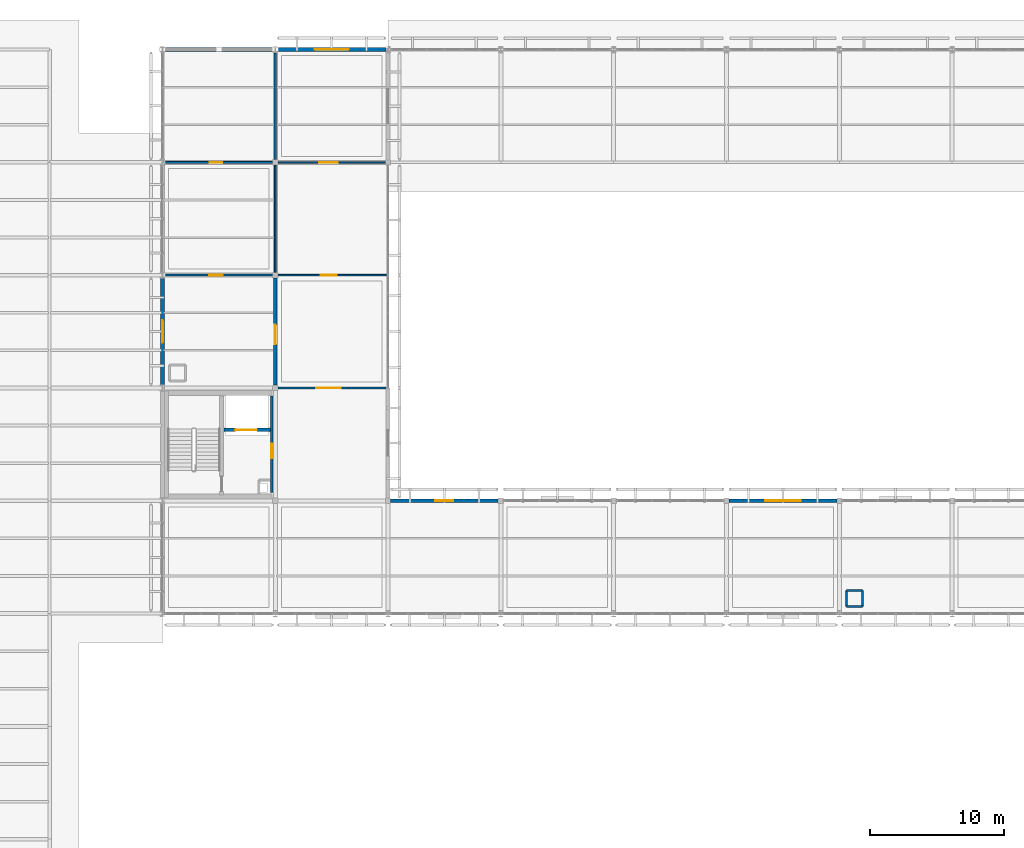
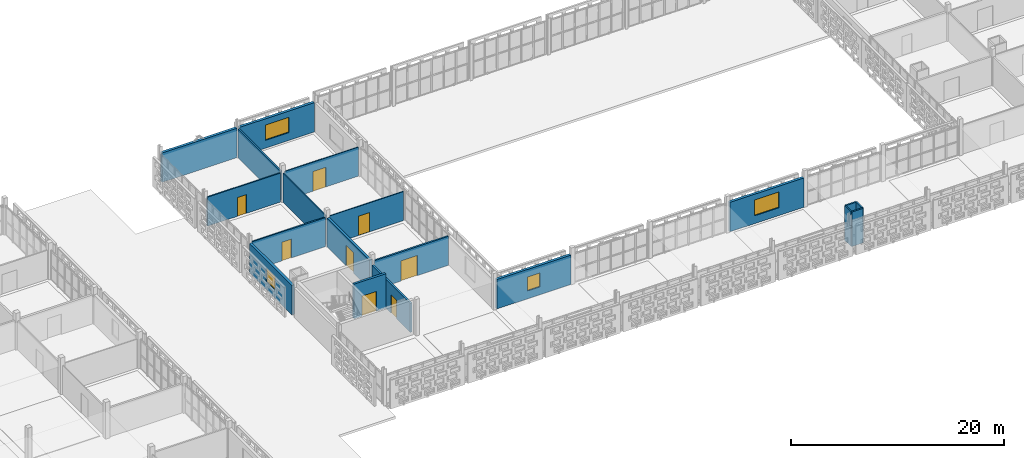
# One storey, part 101 of 166: 19 walls, 8 doors, 4 windows, 12 openings.
"""IFC4 building model written with IfcOpenShell, lengths in metres."""

from ifc_helpers import new_model, si_unit, direction, frame, frame_2d, origin, place, context, subcontext, project, spatial, rectangle, extrude, material, layer, layer_set, type_object, element, fill, save


model = new_model("IFC4")

# Units and contexts
model_context = context("Model", 3, precision=1e-05, world=origin(), true_north=direction((0.0, 1.0)))
body_context = subcontext(model_context, "Body", "Model", "MODEL_VIEW")
ifc_project = project(units=[si_unit("LENGTHUNIT", "METRE"), si_unit("AREAUNIT", "SQUARE_METRE"), si_unit("VOLUMEUNIT", "CUBIC_METRE"), si_unit("PLANEANGLEUNIT", "RADIAN"), si_unit("MASSUNIT", "GRAM", prefix="KILO")], contexts=[model_context])

# Site, building, storey
site_placement = place(None, origin())
site = spatial("IfcSite", under=ifc_project, at=site_placement, CompositionType="ELEMENT")
building_placement = place(site_placement, origin())
building = spatial("IfcBuilding", under=site, at=building_placement, Name="Varnapada Polytechnic", CompositionType="ELEMENT")
storey_placement = place(building_placement, frame((0.0, 0.0, 9.60009765625)))
storey = spatial("IfcBuildingStorey", under=building, at=storey_placement, Name="L02", CompositionType="ELEMENT", Elevation=9.60009765625)

# Wall, opening, door
ifc_material_1 = material(Name="Autoclaved Aerated Concrete Block AAC-600", Category="concrete")
ifc_layer_1 = layer(ifc_material_1, 0.199951171875)
ifc_layer_set_1 = layer_set([ifc_layer_1], Name="Autoclaved Aerated Concrete Block AAC-600")
wall_type_1 = type_object("IfcWallType", Name="Interior Wall IW-01", PredefinedType="PARTITIONING", material=ifc_layer_set_1)
wall_1_placement = place(storey_placement, frame((58.5400390625, 100.199951171875, 0.0), z_axis=(0.0, 0.0, 1.0), x_axis=(0.0, -1.0, 0.0)))
wall_1 = element("IfcWall", 1, at=wall_1_placement, inside=storey, type_object=wall_type_1, Name="L02 C4 firefighting lobby east wall", PredefinedType="PARTITIONING", context=body_context, shape_type="SweptSolid", body=[
    extrude(rectangle(XDim=7.199951171875, YDim=0.199951171875, at=frame_2d((3.60009765625, 0.0))), origin(), (0.0, 0.0, 1.0), 3.31982421875),
])
opening_1_placement = place(wall_1_placement, frame((3.550048828125, 0.0, 0.0)))
opening_1 = element("IfcOpeningElement", 2, at=opening_1_placement, cuts=wall_1, Name="Opening D-1090", PredefinedType="OPENING", context=body_context, shape_type="SweptSolid", body=[
    extrude(rectangle(XDim=1.10009765625, YDim=2.14990234375, at=frame_2d((0.550048828125, 1.074951171875))), frame((0.0, 0.10986328125, 0.0), z_axis=(0.0, -1.0, 0.0), x_axis=(1.0, 0.0, 0.0)), (0.0, 0.0, 1.0), 0.219970703125),
])
ifc_material_2 = material(Name="Galvanized Steel Z275", Category="steel")
door_type_1 = type_object("IfcDoorType", Name="Interior Door ID-01", OperationType="NOTDEFINED", PredefinedType="DOOR", material=ifc_material_2)
door_1_placement = place(opening_1_placement, frame((1.10009765625, 0.0, 0.0), z_axis=(0.0, 0.0, 1.0), x_axis=(-1.0, 0.0, 0.0)))
door_1 = element("IfcDoor", 3, at=door_1_placement, inside=storey, type_object=door_type_1, Name="L02 C4 lobby fire door D-1090", OperationType="SINGLE_SWING_RIGHT", OverallHeight=2.14990234375, OverallWidth=1.10009765625, PredefinedType="DOOR", context=body_context, shape_type="SweptSolid", body=[
    extrude(rectangle(XDim=1.10009765625, YDim=2.14990234375, at=frame_2d((0.550048828125, 1.074951171875))), frame((0.0, 0.02490234375, 0.0), z_axis=(0.0, -1.0, 0.0), x_axis=(1.0, 0.0, 0.0)), (0.0, 0.0, 1.0), 0.050048828125),
])
fill(opening_1, door_1)

# Walls
ifc_layer_2 = layer(ifc_material_1, 0.14990234375)
ifc_layer_set_2 = layer_set([ifc_layer_2], Name="Autoclaved Aerated Concrete Block AAC-600")
wall_type_2 = type_object("IfcWallType", Name="Interior Wall IW-02", PredefinedType="PARTITIONING", material=ifc_layer_set_2)
for number, where, z_axis, x_axis, name in (
    (4, (101.320068359375, 84.52001953125, 0.0), (0.0, 0.0, 1.0), (1.0, 0.0, 0.0), "L02 enclosed service riser wall (13,11) S"),
    (5, (102.52001953125, 84.52001953125, 0.0), (0.0, 0.0, 1.0), (0.0, 1.0, 0.0), "L02 enclosed service riser wall (13,11) E"),
    (6, (102.52001953125, 85.719970703125, 0.0), (0.0, 0.0, 1.0), (-1.0, 0.0, 0.0), "L02 enclosed service riser wall (13,11) N"),
    (7, (101.320068359375, 85.719970703125, 0.0), (0.0, 0.0, 1.0), (0.0, -1.0, 0.0), "L02 enclosed service riser wall (13,11) W"),
):
    element("IfcWall", number, at=place(storey_placement, frame(where, z_axis=z_axis, x_axis=x_axis)), inside=storey, type_object=wall_type_2, Name=name, PredefinedType="PARTITIONING", context=body_context, shape_type="SweptSolid", body=[
        extrude(rectangle(XDim=1.199951171875, YDim=0.14990234375, at=frame_2d((0.60009765625, 0.0))), origin(), (0.0, 0.0, 1.0), 3.9599609375),
    ])

# Wall, opening, door
wall_2_placement = place(storey_placement, frame((50.64501953125, 109.199951171875, 0.0), z_axis=(0.0, 0.0, 1.0), x_axis=(1.0, 0.0, 0.0)))
wall_2 = element("IfcWall", 8, at=wall_2_placement, inside=storey, type_object=wall_type_2, Name="L02 interior partition IW-L02-06-12-H", PredefinedType="PARTITIONING", context=body_context, shape_type="SweptSolid", body=[
    extrude(rectangle(XDim=7.93505859375, YDim=0.14990234375, at=frame_2d((3.967529296875, 0.0))), origin(), (0.0, 0.0, 1.0), 3.31982421875),
])
opening_2_placement = place(wall_2_placement, frame((3.25, 0.0, 0.0)))
opening_2 = element("IfcOpeningElement", 9, at=opening_2_placement, cuts=wall_2, Name="Opening D-1139", PredefinedType="OPENING", context=body_context, shape_type="SweptSolid", body=[
    extrude(rectangle(XDim=1.0, YDim=2.14990234375, at=frame_2d((0.5, 1.074951171875))), frame((0.0, 0.0849609375, 0.0), z_axis=(0.0, -1.0, 0.0), x_axis=(1.0, 0.0, 0.0)), (0.0, 0.0, 1.0), 0.169921875),
])
ifc_material_3 = material(Name="Solid Teak Hardwood Timber", Category="wood")
door_type_2 = type_object("IfcDoorType", Name="Interior Door ID-02", OperationType="NOTDEFINED", PredefinedType="DOOR", material=ifc_material_3)
door_2_placement = place(opening_2_placement, frame((1.0, 0.0, 0.0), z_axis=(0.0, 0.0, 1.0), x_axis=(-1.0, 0.0, 0.0)))
door_2 = element("IfcDoor", 10, at=door_2_placement, inside=storey, type_object=door_type_2, Name="L02 interior room door D-1139", OperationType="SINGLE_SWING_RIGHT", OverallHeight=2.14990234375, OverallWidth=1.0, PredefinedType="DOOR", context=body_context, shape_type="SweptSolid", body=[
    extrude(rectangle(XDim=1.0, YDim=2.14990234375, at=frame_2d((0.5, 1.074951171875))), frame((0.0, 0.02490234375, 0.0), z_axis=(0.0, -1.0, 0.0), x_axis=(1.0, 0.0, 0.0)), (0.0, 0.0, 1.0), 0.050048828125),
])
fill(opening_2, door_2)

# Wall
ifc_material_4 = material(Name="Gypsum Plasterboard Acoustic Partition")
ifc_layer_3 = layer(ifc_material_4, 0.125)
ifc_layer_set_3 = layer_set([ifc_layer_3], Name="Gypsum Plasterboard Acoustic Partition")
wall_type_3 = type_object("IfcWallType", Name="Interior Wall IW-03", PredefinedType="PARTITIONING", material=ifc_layer_set_3)
wall_3_placement = place(storey_placement, frame((58.800048828125, 109.419921875, 0.0), z_axis=(0.0, 0.0, 1.0), x_axis=(0.0, 1.0, 0.0)))
element("IfcWall", 11, at=wall_3_placement, inside=storey, type_object=wall_type_3, Name="L02 interior partition IW-L02-06-13-V", PredefinedType="PARTITIONING", context=body_context, shape_type="SweptSolid", body=[
    extrude(rectangle(XDim=7.9599609375, YDim=0.125, at=frame_2d((3.97998046875, 0.0))), origin(), (0.0, 0.0, 1.0), 3.31982421875),
])

# Wall, opening, door
ifc_material_5 = material(Name="Moisture-Resistant Cement Board Partition")
ifc_layer_4 = layer(ifc_material_5, 0.139892578125)
ifc_layer_set_4 = layer_set([ifc_layer_4], Name="Moisture-Resistant Cement Board Partition")
wall_type_4 = type_object("IfcWallType", Name="Interior Wall IW-04", PredefinedType="PARTITIONING", material=ifc_layer_set_4)
wall_4_placement = place(storey_placement, frame((50.64501953125, 117.60009765625, 0.0), z_axis=(0.0, 0.0, 1.0), x_axis=(1.0, 0.0, 0.0)))
wall_4 = element("IfcWall", 12, at=wall_4_placement, inside=storey, type_object=wall_type_4, Name="L02 interior partition IW-L02-06-13-H", PredefinedType="PARTITIONING", context=body_context, shape_type="SweptSolid", body=[
    extrude(rectangle(XDim=7.93505859375, YDim=0.139892578125, at=frame_2d((3.967529296875, 0.0))), origin(), (0.0, 0.0, 1.0), 3.31982421875),
])
opening_3_placement = place(wall_4_placement, frame((3.27490234375, 0.0, 0.0)))
opening_3 = element("IfcOpeningElement", 13, at=opening_3_placement, cuts=wall_4, Name="Opening D-1140", PredefinedType="OPENING", context=body_context, shape_type="SweptSolid", body=[
    extrude(rectangle(XDim=0.949951171875, YDim=2.14990234375, at=frame_2d((0.47509765625, 1.074951171875))), frame((0.0, 0.079833984375, 0.0), z_axis=(0.0, -1.0, 0.0), x_axis=(1.0, 0.0, 0.0)), (0.0, 0.0, 1.0), 0.159912109375),
])
ifc_material_6 = material(Name="Moisture-Resistant HPL Timber", Category="wood")
door_type_3 = type_object("IfcDoorType", Name="Interior Door ID-03", OperationType="NOTDEFINED", PredefinedType="DOOR", material=ifc_material_6)
door_3_placement = place(opening_3_placement, origin())
door_3 = element("IfcDoor", 14, at=door_3_placement, inside=storey, type_object=door_type_3, Name="L02 interior room door D-1140", OperationType="SINGLE_SWING_LEFT", OverallHeight=2.14990234375, OverallWidth=0.949951171875, PredefinedType="DOOR", context=body_context, shape_type="SweptSolid", body=[
    extrude(rectangle(XDim=0.949951171875, YDim=2.14990234375, at=frame_2d((0.47509765625, 1.074951171875))), frame((0.0, 0.02490234375, 0.0), z_axis=(0.0, -1.0, 0.0), x_axis=(1.0, 0.0, 0.0)), (0.0, 0.0, 1.0), 0.050048828125),
])
fill(opening_3, door_3)

# Wall
ifc_material_7 = material(Name="Cross-laminated timber CLT C24", Category="wood")
ifc_layer_5 = layer(ifc_material_7, 0.159912109375)
ifc_layer_set_5 = layer_set([ifc_layer_5], Name="Cross-laminated timber CLT C24")
wall_type_5 = type_object("IfcWallType", Name="Interior Wall IW-05", PredefinedType="PARTITIONING", material=ifc_layer_set_5)
wall_5_placement = place(storey_placement, frame((58.800048828125, 117.820068359375, 0.0), z_axis=(0.0, 0.0, 1.0), x_axis=(0.0, 1.0, 0.0)))
element("IfcWall", 15, at=wall_5_placement, inside=storey, type_object=wall_type_5, Name="L02 interior partition IW-L02-06-14-V", PredefinedType="PARTITIONING", context=body_context, shape_type="SweptSolid", body=[
    extrude(rectangle(XDim=7.934814453125, YDim=0.159912109375, at=frame_2d((3.96728515625, 0.0))), origin(), (0.0, 0.0, 1.0), 3.31982421875),
])

# Wall, opening, door
ifc_material_8 = material(Name="Acoustic Double-Stud Studio Partition")
ifc_layer_6 = layer(ifc_material_8, 0.179931640625)
ifc_layer_set_6 = layer_set([ifc_layer_6], Name="Acoustic Double-Stud Studio Partition")
wall_type_6 = type_object("IfcWallType", Name="Interior Wall IW-06", PredefinedType="PARTITIONING", material=ifc_layer_set_6)
wall_6_placement = place(storey_placement, frame((59.02001953125, 100.800048828125, 0.0), z_axis=(0.0, 0.0, 1.0), x_axis=(1.0, 0.0, 0.0)))
wall_6 = element("IfcWall", 16, at=wall_6_placement, inside=storey, type_object=wall_type_6, Name="L02 interior partition IW-L02-07-11-H", PredefinedType="PARTITIONING", context=body_context, shape_type="SweptSolid", body=[
    extrude(rectangle(XDim=8.034912109375, YDim=0.179931640625, at=frame_2d((4.017578125, 0.0))), origin(), (0.0, 0.0, 1.0), 3.31982421875),
])
opening_4_placement = place(wall_6_placement, frame((2.85009765625, 0.0, 0.0)))
opening_4 = element("IfcOpeningElement", 17, at=opening_4_placement, cuts=wall_6, Name="Opening D-1141", PredefinedType="OPENING", context=body_context, shape_type="SweptSolid", body=[
    extrude(rectangle(XDim=1.800048828125, YDim=2.300048828125, at=frame_2d((0.89990234375, 1.14990234375))), frame((0.0, 0.099853515625, 0.0), z_axis=(0.0, -1.0, 0.0), x_axis=(1.0, 0.0, 0.0)), (0.0, 0.0, 1.0), 0.199951171875),
])
ifc_material_9 = material(Name="Acoustic Double Timber Leaf", Category="wood")
door_type_4 = type_object("IfcDoorType", Name="Interior Door ID-04", OperationType="NOTDEFINED", PredefinedType="DOOR", material=ifc_material_9)
door_4_placement = place(opening_4_placement, origin())
door_4 = element("IfcDoor", 18, at=door_4_placement, inside=storey, type_object=door_type_4, Name="L02 interior room door D-1141", OperationType="SINGLE_SWING_RIGHT", OverallHeight=2.300048828125, OverallWidth=1.800048828125, PredefinedType="DOOR", context=body_context, shape_type="SweptSolid", body=[
    extrude(rectangle(XDim=1.800048828125, YDim=2.300048828125, at=frame_2d((0.89990234375, 1.14990234375))), frame((0.0, 0.02490234375, 0.0), z_axis=(0.0, -1.0, 0.0), x_axis=(1.0, 0.0, 0.0)), (0.0, 0.0, 1.0), 0.050048828125),
])
fill(opening_4, door_4)

ifc_material_10 = material(Name="Glazed Timber-Framed Studio Screen", Category="wood")
ifc_layer_7 = layer(ifc_material_10, 0.110107421875)
ifc_layer_set_7 = layer_set([ifc_layer_7], Name="Glazed Timber-Framed Studio Screen")
wall_type_7 = type_object("IfcWallType", Name="Interior Wall IW-07", PredefinedType="PARTITIONING", material=ifc_layer_set_7)
wall_7_placement = place(storey_placement, frame((59.02001953125, 109.199951171875, 0.0), z_axis=(0.0, 0.0, 1.0), x_axis=(1.0, 0.0, 0.0)))
wall_7 = element("IfcWall", 19, at=wall_7_placement, inside=storey, type_object=wall_type_7, Name="L02 interior partition IW-L02-07-12-H", PredefinedType="PARTITIONING", context=body_context, shape_type="SweptSolid", body=[
    extrude(rectangle(XDim=8.034912109375, YDim=0.110107421875, at=frame_2d((4.017578125, 0.0))), origin(), (0.0, 0.0, 1.0), 3.31982421875),
])
opening_5_placement = place(wall_7_placement, frame((3.14990234375, 0.0, 0.0)))
opening_5 = element("IfcOpeningElement", 20, at=opening_5_placement, cuts=wall_7, Name="Opening D-1142", PredefinedType="OPENING", context=body_context, shape_type="SweptSolid", body=[
    extrude(rectangle(XDim=1.199951171875, YDim=2.199951171875, at=frame_2d((0.60009765625, 1.10009765625))), frame((0.0, 0.06494140625, 0.0), z_axis=(0.0, -1.0, 0.0), x_axis=(1.0, 0.0, 0.0)), (0.0, 0.0, 1.0), 0.130126953125),
])
door_type_5 = type_object("IfcDoorType", Name="Interior Door ID-05", OperationType="NOTDEFINED", PredefinedType="DOOR", material=ifc_material_3)
door_5_placement = place(opening_5_placement, frame((1.199951171875, 0.0, 0.0), z_axis=(0.0, 0.0, 1.0), x_axis=(-1.0, 0.0, 0.0)))
door_5 = element("IfcDoor", 21, at=door_5_placement, inside=storey, type_object=door_type_5, Name="L02 interior room door D-1142", OperationType="SINGLE_SWING_LEFT", OverallHeight=2.199951171875, OverallWidth=1.199951171875, PredefinedType="DOOR", context=body_context, shape_type="SweptSolid", body=[
    extrude(rectangle(XDim=1.199951171875, YDim=2.199951171875, at=frame_2d((0.60009765625, 1.10009765625))), frame((0.0, 0.02490234375, 0.0), z_axis=(0.0, -1.0, 0.0), x_axis=(1.0, 0.0, 0.0)), (0.0, 0.0, 1.0), 0.050048828125),
])
fill(opening_5, door_5)

ifc_material_11 = material(Name="Operable Acoustic Seminar Partition")
ifc_layer_8 = layer(ifc_material_11, 0.10009765625)
ifc_layer_set_8 = layer_set([ifc_layer_8], Name="Operable Acoustic Seminar Partition")
wall_type_8 = type_object("IfcWallType", Name="Interior Wall IW-08", PredefinedType="MOVABLE", material=ifc_layer_set_8)
wall_8_placement = place(storey_placement, frame((59.02001953125, 117.60009765625, 0.0), z_axis=(0.0, 0.0, 1.0), x_axis=(1.0, 0.0, 0.0)))
wall_8 = element("IfcWall", 22, at=wall_8_placement, inside=storey, type_object=wall_type_8, Name="L02 interior partition IW-L02-07-13-H", PredefinedType="MOVABLE", context=body_context, shape_type="SweptSolid", body=[
    extrude(rectangle(XDim=7.969970703125, YDim=0.10009765625, at=frame_2d((3.98486328125, 0.0))), origin(), (0.0, 0.0, 1.0), 3.31982421875),
])
opening_6_placement = place(wall_8_placement, frame((3.050048828125, 0.0, 0.0)))
opening_6 = element("IfcOpeningElement", 23, at=opening_6_placement, cuts=wall_8, Name="Opening D-1143", PredefinedType="OPENING", context=body_context, shape_type="SweptSolid", body=[
    extrude(rectangle(XDim=1.39990234375, YDim=2.25, at=frame_2d((0.699951171875, 1.125))), frame((0.0, 0.06005859375, 0.0), z_axis=(0.0, -1.0, 0.0), x_axis=(1.0, 0.0, 0.0)), (0.0, 0.0, 1.0), 0.1201171875),
])
ifc_material_12 = material(Name="Powder-Coated Aluminium 6063-T6", Category="aluminium")
door_type_6 = type_object("IfcDoorType", Name="Interior Door ID-06", OperationType="NOTDEFINED", PredefinedType="DOOR", material=ifc_material_12)
door_6_placement = place(opening_6_placement, origin())
door_6 = element("IfcDoor", 24, at=door_6_placement, inside=storey, type_object=door_type_6, Name="L02 interior room door D-1143", OperationType="SINGLE_SWING_RIGHT", OverallHeight=2.25, OverallWidth=1.39990234375, PredefinedType="DOOR", context=body_context, shape_type="SweptSolid", body=[
    extrude(rectangle(XDim=1.39990234375, YDim=2.25, at=frame_2d((0.699951171875, 1.125))), frame((0.0, 0.02490234375, 0.0), z_axis=(0.0, -1.0, 0.0), x_axis=(1.0, 0.0, 0.0)), (0.0, 0.0, 1.0), 0.050048828125),
])
fill(opening_6, door_6)

ifc_material_13 = material(Name="Double-Leaf Acoustic Lecture Wall")
ifc_layer_9 = layer(ifc_material_13, 0.235107421875)
ifc_layer_set_9 = layer_set([ifc_layer_9], Name="Double-Leaf Acoustic Lecture Wall")
wall_type_9 = type_object("IfcWallType", Name="Interior Wall IW-17", PredefinedType="PARTITIONING", material=ifc_layer_set_9)
wall_9_placement = place(storey_placement, frame((58.800048828125, 101.02001953125, 0.0), z_axis=(0.0, 0.0, 1.0), x_axis=(0.0, 1.0, 0.0)))
wall_9 = element("IfcWall", 25, at=wall_9_placement, inside=storey, type_object=wall_type_9, Name="L02 interior partition IW-L02-06-12-V", PredefinedType="PARTITIONING", context=body_context, shape_type="SweptSolid", body=[
    extrude(rectangle(XDim=7.9599609375, YDim=0.235107421875, at=frame_2d((3.97998046875, 0.0))), origin(), (0.0, 0.0, 1.0), 3.31982421875),
])
opening_7_placement = place(wall_9_placement, frame((3.02490234375, 0.0, 0.0)))
opening_7 = element("IfcOpeningElement", 26, at=opening_7_placement, cuts=wall_9, Name="Opening D-1138", PredefinedType="OPENING", context=body_context, shape_type="SweptSolid", body=[
    extrude(rectangle(XDim=1.449951171875, YDim=2.35009765625, at=frame_2d((0.72509765625, 1.175048828125))), frame((0.0, 0.12744140625, 0.0), z_axis=(0.0, -1.0, 0.0), x_axis=(1.0, 0.0, 0.0)), (0.0, 0.0, 1.0), 0.255126953125),
])
door_type_7 = type_object("IfcDoorType", Name="Interior Door ID-18", OperationType="NOTDEFINED", PredefinedType="DOOR", material=ifc_material_2)
door_7_placement = place(opening_7_placement, origin())
door_7 = element("IfcDoor", 27, at=door_7_placement, inside=storey, type_object=door_type_7, Name="L02 interior room door D-1138", OperationType="SINGLE_SWING_LEFT", OverallHeight=2.35009765625, OverallWidth=1.449951171875, PredefinedType="DOOR", context=body_context, shape_type="SweptSolid", body=[
    extrude(rectangle(XDim=1.449951171875, YDim=2.35009765625, at=frame_2d((0.72509765625, 1.175048828125))), frame((0.0, 0.02490234375, 0.0), z_axis=(0.0, -1.0, 0.0), x_axis=(1.0, 0.0, 0.0)), (0.0, 0.0, 1.0), 0.050048828125),
])
fill(opening_7, door_7)

ifc_material_14 = material(Name="Concrete C40/50", Category="concrete")
ifc_layer_10 = layer(ifc_material_14, 0.25)
ifc_layer_set_10 = layer_set([ifc_layer_10], Name="Concrete C40/50")
wall_type_10 = type_object("IfcWallType", Name="Interior Wall SW-05", PredefinedType="SHEAR", material=ifc_layer_set_10)
wall_10_placement = place(storey_placement, frame((54.97998046875, 97.679931640625, 0.0), z_axis=(0.0, 0.0, 1.0), x_axis=(1.0, 0.0, 0.0)))
wall_10 = element("IfcWall", 28, at=wall_10_placement, inside=storey, type_object=wall_type_10, Name="L02 C4 lift shaft front wall", PredefinedType="SHEAR", context=body_context, shape_type="SweptSolid", body=[
    extrude(rectangle(XDim=3.4599609375, YDim=0.25, at=frame_2d((1.72998046875, 0.0))), origin(), (0.0, 0.0, 1.0), 3.9599609375),
])
opening_8_placement = place(wall_10_placement, frame((0.85009765625, 0.0, 0.0)))
opening_8 = element("IfcOpeningElement", 29, at=opening_8_placement, cuts=wall_10, Name="Opening LD-022", PredefinedType="OPENING", context=body_context, shape_type="SweptSolid", body=[
    extrude(rectangle(XDim=1.60009765625, YDim=2.300048828125, at=frame_2d((0.800048828125, 1.14990234375))), frame((0.0, 0.135009765625, 0.0), z_axis=(0.0, -1.0, 0.0), x_axis=(1.0, 0.0, 0.0)), (0.0, 0.0, 1.0), 0.27001953125),
])
ifc_material_15 = material(Name="Brushed Stainless Steel 316", Category="steel")
door_type_8 = type_object("IfcDoorType", Name="Interior Door LD-02", OperationType="NOTDEFINED", PredefinedType="DOOR", material=ifc_material_15)
door_8_placement = place(opening_8_placement, origin())
door_8 = element("IfcDoor", 30, at=door_8_placement, inside=storey, type_object=door_type_8, Name="L02 LFT-04 sliding lift landing door LD-022", OperationType="DOUBLE_DOOR_SLIDING", OverallHeight=2.300048828125, OverallWidth=1.60009765625, PredefinedType="DOOR", context=body_context, shape_type="SweptSolid", body=[
    extrude(rectangle(XDim=1.60009765625, YDim=2.300048828125, at=frame_2d((0.800048828125, 1.14990234375))), frame((0.0, 0.02490234375, 0.0), z_axis=(0.0, -1.0, 0.0), x_axis=(1.0, 0.0, 0.0)), (0.0, 0.0, 1.0), 0.050048828125),
])
fill(opening_8, door_8)

# Wall, opening, window
ifc_material_16 = material(Name="Precast concrete C40/50", Category="concrete")
ifc_layer_11 = layer(ifc_material_16, 0.280029296875)
ifc_layer_set_11 = layer_set([ifc_layer_11], Name="Precast concrete C40/50")
wall_type_11 = type_object("IfcWallType", Name="Wall EW-02", PredefinedType="SOLIDWALL", material=ifc_layer_set_11)
wall_11_placement = place(storey_placement, frame((50.39990234375, 101.02490234375, 0.0), z_axis=(0.0, 0.0, 1.0), x_axis=(0.0, 1.0, 0.0)))
wall_11 = element("IfcWall", 31, at=wall_11_placement, inside=storey, type_object=wall_type_11, Name="L02 exterior wall EW-02 (48)", PredefinedType="SOLIDWALL", context=body_context, shape_type="SweptSolid", body=[
    extrude(rectangle(XDim=7.9501953125, YDim=0.280029296875, at=frame_2d((3.97509765625, 0.0))), origin(), (0.0, 0.0, 1.0), 3.35986328125),
])
opening_9_placement = place(wall_11_placement, frame((3.125, 0.0, 0.89990234375)))
opening_9 = element("IfcOpeningElement", 32, at=opening_9_placement, cuts=wall_11, Name="Opening WN-16", PredefinedType="OPENING", context=body_context, shape_type="SweptSolid", body=[
    extrude(rectangle(XDim=1.699951171875, YDim=1.550048828125, at=frame_2d((0.85009765625, 0.77490234375))), frame((0.0, 0.14990234375, 0.0), z_axis=(0.0, -1.0, 0.0), x_axis=(1.0, 0.0, 0.0)), (0.0, 0.0, 1.0), 0.300048828125),
])
ifc_material_17 = material(Name="Double low-E laminated glass", Category="glass")
window_type_1 = type_object("IfcWindowType", Name="Window WN-16", PartitioningType="SINGLE_PANEL", PredefinedType="WINDOW", material=ifc_material_17)
window_1_placement = place(opening_9_placement, origin())
window_1 = element("IfcWindow", 33, at=window_1_placement, inside=storey, type_object=window_type_1, Name="L02 window WN-16 (115)", OverallHeight=1.550048828125, OverallWidth=1.699951171875, PartitioningType="SINGLE_PANEL", PredefinedType="WINDOW", context=body_context, shape_type="SweptSolid", body=[
    extrude(rectangle(XDim=1.699951171875, YDim=1.550048828125, at=frame_2d((0.85009765625, 0.77490234375))), frame((0.0, 0.030029296875, 0.0), z_axis=(0.0, -1.0, 0.0), x_axis=(1.0, 0.0, 0.0)), (0.0, 0.0, 1.0), 0.06005859375),
])
fill(opening_9, window_1)

# Wall
wall_12_placement = place(storey_placement, frame((50.550048828125, 126.0, 0.0), z_axis=(0.0, 0.0, 1.0), x_axis=(1.0, 0.0, 0.0)))
element("IfcWall", 34, at=wall_12_placement, inside=storey, type_object=wall_type_11, Name="L02 exterior wall EW-02 (50)", PredefinedType="SOLIDWALL", context=body_context, shape_type="SweptSolid", body=[
    extrude(rectangle(XDim=8.099853515625, YDim=0.280029296875, at=frame_2d((4.0498046875, 0.0))), origin(), (0.0, 0.0, 1.0), 3.35986328125),
])

# Wall, opening, window
wall_13_placement = place(storey_placement, frame((58.949951171875, 126.0, 0.0), z_axis=(0.0, 0.0, 1.0), x_axis=(1.0, 0.0, 0.0)))
wall_13 = element("IfcWall", 35, at=wall_13_placement, inside=storey, type_object=wall_type_11, Name="L02 exterior wall EW-02 (56)", PredefinedType="SOLIDWALL", context=body_context, shape_type="SweptSolid", body=[
    extrude(rectangle(XDim=8.10009765625, YDim=0.280029296875, at=frame_2d((4.050048828125, 0.0))), origin(), (0.0, 0.0, 1.0), 3.35986328125),
])
opening_10_placement = place(wall_13_placement, frame((2.77490234375, 0.0, 0.89990234375)))
opening_10 = element("IfcOpeningElement", 36, at=opening_10_placement, cuts=wall_13, Name="Opening WN-27", PredefinedType="OPENING", context=body_context, shape_type="SweptSolid", body=[
    extrude(rectangle(XDim=2.550048828125, YDim=1.75, at=frame_2d((1.27490234375, 0.875))), frame((0.0, 0.14990234375, 0.0), z_axis=(0.0, -1.0, 0.0), x_axis=(1.0, 0.0, 0.0)), (0.0, 0.0, 1.0), 0.300048828125),
])
window_type_2 = type_object("IfcWindowType", Name="Window WN-27", PartitioningType="SINGLE_PANEL", PredefinedType="WINDOW", material=ifc_material_17)
window_2_placement = place(opening_10_placement, origin())
window_2 = element("IfcWindow", 37, at=window_2_placement, inside=storey, type_object=window_type_2, Name="L02 window WN-27 (117)", OverallHeight=1.75, OverallWidth=2.550048828125, PartitioningType="SINGLE_PANEL", PredefinedType="WINDOW", context=body_context, shape_type="SweptSolid", body=[
    extrude(rectangle(XDim=2.550048828125, YDim=1.75, at=frame_2d((1.27490234375, 0.875))), frame((0.0, 0.030029296875, 0.0), z_axis=(0.0, -1.0, 0.0), x_axis=(1.0, 0.0, 0.0)), (0.0, 0.0, 1.0), 0.06005859375),
])
fill(opening_10, window_2)

wall_14_placement = place(storey_placement, frame((67.389892578125, 92.39990234375, 0.0), z_axis=(0.0, 0.0, 1.0), x_axis=(1.0, 0.0, 0.0)))
wall_14 = element("IfcWall", 38, at=wall_14_placement, inside=storey, type_object=wall_type_11, Name="L02 exterior wall EW-02 (59)", PredefinedType="SOLIDWALL", context=body_context, shape_type="SweptSolid", body=[
    extrude(rectangle(XDim=8.010009765625, YDim=0.280029296875, at=frame_2d((4.0048828125, 0.0))), origin(), (0.0, 0.0, 1.0), 3.35986328125),
])
opening_11_placement = place(wall_14_placement, frame((3.330078125, 0.0, 0.89990234375)))
opening_11 = element("IfcOpeningElement", 39, at=opening_11_placement, cuts=wall_14, Name="Opening WN-20", PredefinedType="OPENING", context=body_context, shape_type="SweptSolid", body=[
    extrude(rectangle(XDim=1.35009765625, YDim=1.60009765625, at=frame_2d((0.675048828125, 0.800048828125))), frame((0.0, 0.14990234375, 0.0), z_axis=(0.0, -1.0, 0.0), x_axis=(1.0, 0.0, 0.0)), (0.0, 0.0, 1.0), 0.300048828125),
])
window_type_3 = type_object("IfcWindowType", Name="Window WN-20", PartitioningType="SINGLE_PANEL", PredefinedType="WINDOW", material=ifc_material_17)
window_3_placement = place(opening_11_placement, origin())
window_3 = element("IfcWindow", 40, at=window_3_placement, inside=storey, type_object=window_type_3, Name="L02 window WN-20 (119)", OverallHeight=1.60009765625, OverallWidth=1.35009765625, PartitioningType="SINGLE_PANEL", PredefinedType="WINDOW", context=body_context, shape_type="SweptSolid", body=[
    extrude(rectangle(XDim=1.35009765625, YDim=1.60009765625, at=frame_2d((0.675048828125, 0.800048828125))), frame((0.0, 0.030029296875, 0.0), z_axis=(0.0, -1.0, 0.0), x_axis=(1.0, 0.0, 0.0)), (0.0, 0.0, 1.0), 0.06005859375),
])
fill(opening_11, window_3)

wall_15_placement = place(storey_placement, frame((92.60009765625, 92.39990234375, 0.0), z_axis=(0.0, 0.0, 1.0), x_axis=(1.0, 0.0, 0.0)))
wall_15 = element("IfcWall", 41, at=wall_15_placement, inside=storey, type_object=wall_type_11, Name="L02 exterior wall EW-02 (65)", PredefinedType="SOLIDWALL", context=body_context, shape_type="SweptSolid", body=[
    extrude(rectangle(XDim=8.010009765625, YDim=0.280029296875, at=frame_2d((4.0048828125, 0.0))), origin(), (0.0, 0.0, 1.0), 3.35986328125),
])
opening_12_placement = place(wall_15_placement, frame((2.679931640625, 0.0, 0.89990234375)))
opening_12 = element("IfcOpeningElement", 42, at=opening_12_placement, cuts=wall_15, Name="Opening WN-35", PredefinedType="OPENING", context=body_context, shape_type="SweptSolid", body=[
    extrude(rectangle(XDim=2.64990234375, YDim=1.800048828125, at=frame_2d((1.324951171875, 0.89990234375))), frame((0.0, 0.14990234375, 0.0), z_axis=(0.0, -1.0, 0.0), x_axis=(1.0, 0.0, 0.0)), (0.0, 0.0, 1.0), 0.300048828125),
])
window_type_4 = type_object("IfcWindowType", Name="Window WN-35", PartitioningType="SINGLE_PANEL", PredefinedType="WINDOW", material=ifc_material_17)
window_4_placement = place(opening_12_placement, origin())
window_4 = element("IfcWindow", 43, at=window_4_placement, inside=storey, type_object=window_type_4, Name="L02 window WN-35 (120)", OverallHeight=1.800048828125, OverallWidth=2.64990234375, PartitioningType="SINGLE_PANEL", PredefinedType="WINDOW", context=body_context, shape_type="SweptSolid", body=[
    extrude(rectangle(XDim=2.64990234375, YDim=1.800048828125, at=frame_2d((1.324951171875, 0.89990234375))), frame((0.0, 0.030029296875, 0.0), z_axis=(0.0, -1.0, 0.0), x_axis=(1.0, 0.0, 0.0)), (0.0, 0.0, 1.0), 0.06005859375),
])
fill(opening_12, window_4)

save(model, "model.ifc")
